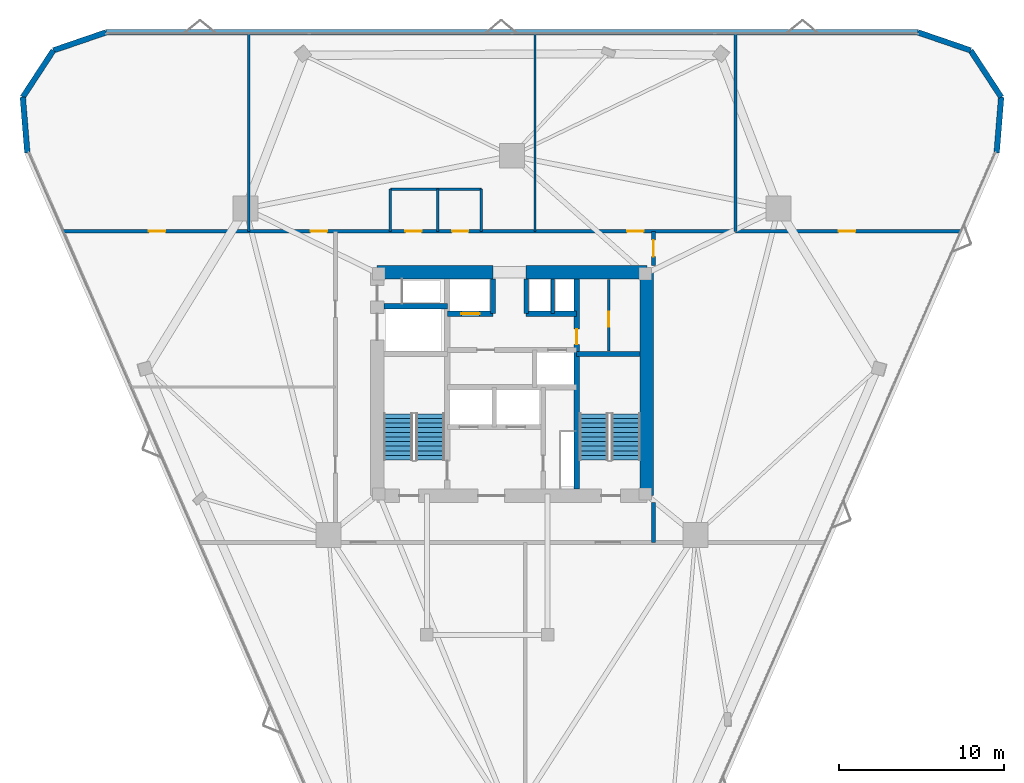
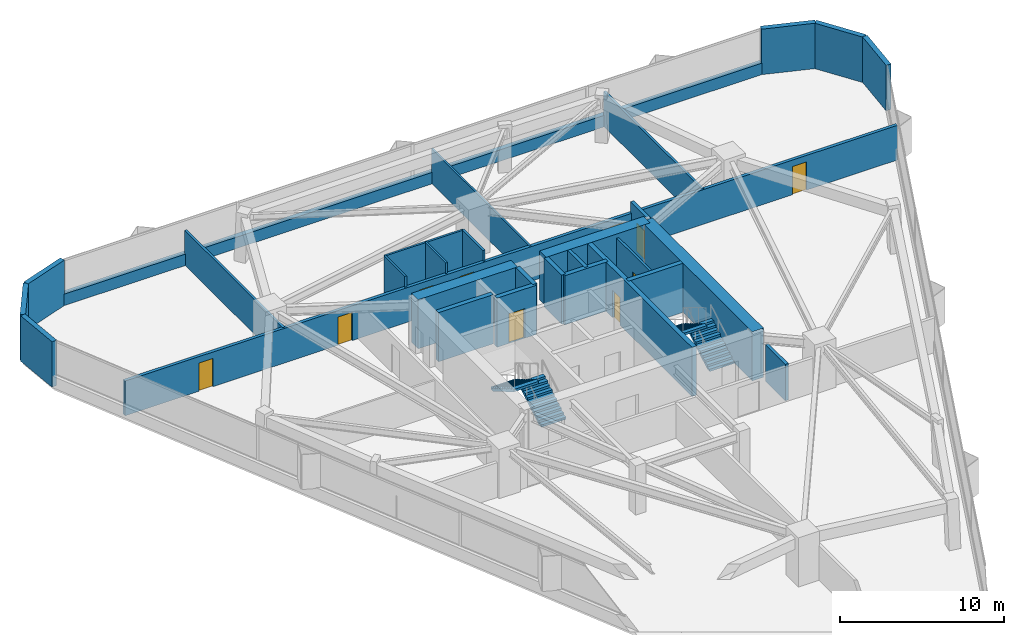
# One storey, part 13 of 14: 29 walls, 10 doors, 4 stair flights, 10 openings, 2 elements without a shape of their own.
"""IFC4 building model written with IfcOpenShell, lengths in metres."""

import ifcopenshell
import ifcopenshell.guid

model = None  # the IFC model being written
_history = None  # IfcOwnerHistory: only IFC2X3 demands one
_inside = {}  # id of a spatial element -> (the spatial element, [elements in it])
_under = {}  # id of a project, library or spatial element -> (it, [spatial elements below it])
_declared = {}  # id of a project -> (the project, [libraries it declares])
_typed = {}  # id of a type object -> (the type object, [elements of that type])
_made_of = {}  # id of a material, layer set ... -> (it, [elements and type objects made of it])


def new_model(schema):
    """Start an empty IFC model of exactly this schema.

    Asked for "IFC4X3", IfcOpenShell would pick the latest addendum, in which some entities
    have other attributes; the version numbers below select the first issue.
    IFC2X3 requires an IfcOwnerHistory on every rooted entity: one is made here for all.
    """
    global model, _history
    if schema == "IFC4X3":
        model = ifcopenshell.file(schema_version=(4, 3, 0, 0))
    else:
        model = ifcopenshell.file(schema=schema)
    _inside.clear()
    _under.clear()
    _declared.clear()
    _typed.clear()
    _made_of.clear()
    _history = None
    if model.schema == "IFC2X3":
        org = make("IfcOrganization", Name="unknown")
        user = make(
            "IfcPersonAndOrganization",
            ThePerson=make("IfcPerson", FamilyName="unknown"),
            TheOrganization=org,
        )
        app = make(
            "IfcApplication",
            ApplicationDeveloper=org,
            Version="unknown",
            ApplicationFullName="unknown",
            ApplicationIdentifier="unknown",
        )
        _history = make(
            "IfcOwnerHistory",
            OwningUser=user,
            OwningApplication=app,
            ChangeAction="ADDED",
            CreationDate=0,
        )
    return model


def make(cls, **values):
    """One entity of the class cls with the attributes given. An attribute that is None is left unset."""
    return model.create_entity(
        cls, **{name: value for name, value in values.items() if value is not None}
    )


def rooted(cls, **values):
    """An entity with a GlobalId (a new one), such as an element, a storey or a relation."""
    return make(cls, GlobalId=ifcopenshell.guid.new(), OwnerHistory=_history, **values)


def si_unit(unit_type, name, prefix=None):
    """IfcSIUnit, for example si_unit("LENGTHUNIT", "METRE", prefix="MILLI")."""
    return make("IfcSIUnit", UnitType=unit_type, Prefix=prefix, Name=name)


def assignment(units):
    """IfcUnitAssignment: the units of a project."""
    return None if units is None else make("IfcUnitAssignment", Units=units)


def point(xyz):
    """IfcCartesianPoint."""
    return None if xyz is None else make("IfcCartesianPoint", Coordinates=xyz)


def direction(xyz):
    """IfcDirection."""
    return None if xyz is None else make("IfcDirection", DirectionRatios=xyz)


def frame(location, z_axis=None, x_axis=None):
    """IfcAxis2Placement3D, a coordinate frame: its origin and axes. An axis left out is left unset."""
    return make(
        "IfcAxis2Placement3D",
        Location=point(location),
        Axis=direction(z_axis),
        RefDirection=direction(x_axis),
    )


def frame_2d(location, x_axis=None):
    """IfcAxis2Placement2D, a coordinate frame in the plane: its origin and x axis."""
    return make(
        "IfcAxis2Placement2D", Location=point(location), RefDirection=direction(x_axis)
    )


def origin():
    """The frame at (0, 0, 0) with its axes left unset."""
    return frame((0.0, 0.0, 0.0))


def place(relative_to, where):
    """IfcLocalPlacement: puts the frame where relative to a parent placement (None: the world)."""
    return make(
        "IfcLocalPlacement", PlacementRelTo=relative_to, RelativePlacement=where
    )


def context(
    kind, dimensions, precision=None, world=None, true_north=None, identifier=None
):
    """IfcGeometricRepresentationContext, for example the 3D "Model" context."""
    return make(
        "IfcGeometricRepresentationContext",
        ContextIdentifier=identifier,
        ContextType=kind,
        CoordinateSpaceDimension=dimensions,
        Precision=precision,
        WorldCoordinateSystem=world,
        TrueNorth=true_north,
    )


def subcontext(parent, identifier, kind, view, scale=None):
    """IfcGeometricRepresentationSubContext, for example "Body" below "Model"."""
    return make(
        "IfcGeometricRepresentationSubContext",
        ContextIdentifier=identifier,
        ContextType=kind,
        ParentContext=parent,
        TargetScale=scale,
        TargetView=view,
    )


def project(units=None, contexts=None):
    """IfcProject with its units and contexts."""
    return rooted(
        "IfcProject",
        Name="project",
        RepresentationContexts=contexts,
        UnitsInContext=assignment(units),
    )


def spatial(cls, under=None, at=None, **own):
    """A site, building, storey or space (cls), placed at a placement, below another one or the project."""
    s = rooted(cls, ObjectPlacement=at, **own)
    if under is not None:
        _under.setdefault(under.id(), (under, []))[1].append(s)
    return s


def polyline(points):
    """IfcPolyline through the points."""
    return make("IfcPolyline", Points=[point(p) for p in points])


def profile(cls, at=None, kind="AREA", **sizes):
    """A parametric profile (cls). Its sizes go by their IFC names, for example OverallWidth=200.0."""
    return make(cls, ProfileType=kind, Position=at, **sizes)


def rectangle(**sizes):
    """IfcRectangleProfileDef."""
    return profile("IfcRectangleProfileDef", **sizes)


def outline(outer, holes=None, kind="AREA"):
    """IfcArbitraryClosedProfileDef: a profile drawn as a closed curve; with holes, ...WithVoids."""
    if holes is None:
        return make("IfcArbitraryClosedProfileDef", ProfileType=kind, OuterCurve=outer)
    return make(
        "IfcArbitraryProfileDefWithVoids",
        ProfileType=kind,
        OuterCurve=outer,
        InnerCurves=holes,
    )


def extrude(swept, where, along, depth):
    """IfcExtrudedAreaSolid: the profile swept, set in the frame where, extruded along a direction by depth."""
    return make(
        "IfcExtrudedAreaSolid",
        SweptArea=swept,
        Position=where,
        ExtrudedDirection=direction(along),
        Depth=depth,
    )


def shape(context_of_items, identifier, shape_type, items):
    """IfcShapeRepresentation: the items that make up one representation, for example the "Body"."""
    return make(
        "IfcShapeRepresentation",
        ContextOfItems=context_of_items,
        RepresentationIdentifier=identifier,
        RepresentationType=shape_type,
        Items=items,
    )


def material(Name=None, Category=None):
    """IfcMaterial."""
    return make("IfcMaterial", Name=Name, Category=Category)


def layer(
    of_material, thickness, ventilated=None, Name=None, Category=None, Priority=None
):
    """IfcMaterialLayer: one layer of a wall or slab, of a material (None: an air gap)."""
    return make(
        "IfcMaterialLayer",
        Material=of_material,
        LayerThickness=thickness,
        IsVentilated=ventilated,
        Name=Name,
        Category=Category,
        Priority=Priority,
    )


def layer_set(layers, Name=None):
    """IfcMaterialLayerSet."""
    return make("IfcMaterialLayerSet", MaterialLayers=layers, LayerSetName=Name)


def made_of(thing, what):
    """Note that an element or type object is made of a material, layer set ...; save() writes the relation."""
    if what is not None:
        _made_of.setdefault(what.id(), (what, []))[1].append(thing)
    return thing


def type_object(cls, material=None, **own):
    """A type object (cls), such as IfcWallType, which elements share."""
    return made_of(rooted(cls, **own), material)


def element(
    cls,
    number,
    at=None,
    inside=None,
    cuts=None,
    type_object=None,
    material=None,
    context=None,
    identifier="Body",
    shape_type=None,
    held_by="IfcProductDefinitionShape",
    body=None,
    shapes=None,
    **own,
):
    """One element of the class cls, such as IfcWall. Its Tag is "e" and its number.

    at: its placement. inside: the storey or other place that contains it. cuts: it is an
    opening in that element (IfcRelVoidsElement). A single representation is given by context,
    identifier, shape_type and body (its items); several are given by shapes. held_by: the class
    of the entity that holds the representations. save() writes the other relations.
    """
    e = rooted(cls, Tag="e%d" % number, ObjectPlacement=at, **own)
    if body is not None:
        shapes = [shape(context, identifier, shape_type, body)]
    if shapes is not None:
        e.Representation = make(held_by, Representations=shapes)
    if inside is not None:
        _inside.setdefault(inside.id(), (inside, []))[1].append(e)
    if cuts is not None:
        rooted(
            "IfcRelVoidsElement", RelatingBuildingElement=cuts, RelatedOpeningElement=e
        )
    if type_object is not None:
        _typed.setdefault(type_object.id(), (type_object, []))[1].append(e)
    return made_of(e, material)


def fill(opening, filler):
    """IfcRelFillsElement: the door or window that sits in an opening."""
    return rooted(
        "IfcRelFillsElement",
        RelatingOpeningElement=opening,
        RelatedBuildingElement=filler,
    )


def aggregate(whole, parts):
    """IfcRelAggregates: a whole, such as a stair, and the parts it consists of."""
    return rooted("IfcRelAggregates", RelatingObject=whole, RelatedObjects=parts)


def save(model, path):
    """Write the relations noted so far, then the file.

    IfcRelAggregates (storeys below a building ...), IfcRelContainedInSpatialStructure (elements
    in a storey), IfcRelDefinesByType, IfcRelAssociatesMaterial and IfcRelDeclares: one each for
    every whole, place, type object, material and project.
    """
    for whole, parts in _under.values():
        aggregate(whole, parts)
    for where, things in _inside.values():
        rooted(
            "IfcRelContainedInSpatialStructure",
            RelatedElements=things,
            RelatingStructure=where,
        )
    for kind, things in _typed.values():
        rooted("IfcRelDefinesByType", RelatedObjects=things, RelatingType=kind)
    for what, things in _made_of.values():
        rooted("IfcRelAssociatesMaterial", RelatedObjects=things, RelatingMaterial=what)
    for by, libraries in _declared.values():
        rooted("IfcRelDeclares", RelatingContext=by, RelatedDefinitions=libraries)
    model.write(path)


model = new_model("IFC4")

# Units and contexts
model_context = context("Model", 3, precision=1e-05, world=origin(), true_north=direction((0.0, 1.0)))
body_context = subcontext(model_context, "Body", "Model", "MODEL_VIEW")
ifc_project = project(units=[si_unit("LENGTHUNIT", "METRE"), si_unit("AREAUNIT", "SQUARE_METRE"), si_unit("VOLUMEUNIT", "CUBIC_METRE"), si_unit("PLANEANGLEUNIT", "RADIAN"), si_unit("MASSUNIT", "GRAM", prefix="KILO")], contexts=[model_context])

# Site, building, storey
site_placement = place(None, origin())
site = spatial("IfcSite", under=ifc_project, at=site_placement, CompositionType="ELEMENT")
building_placement = place(site_placement, origin())
building = spatial("IfcBuilding", under=site, at=building_placement, Name="Talyreon Biosciences Tower", CompositionType="ELEMENT")
storey_placement = place(building_placement, frame((0.0, 0.0, 130.85009765625)))
storey = spatial("IfcBuildingStorey", under=building, at=storey_placement, Name="L34", CompositionType="ELEMENT", Elevation=130.85009765625)

# Walls
ifc_material_1 = material(Name="Concrete C50/60", Category="concrete")
ifc_layer_1 = layer(ifc_material_1, 0.219970703125)
ifc_layer_set_1 = layer_set([ifc_layer_1], Name="Concrete C50/60")
wall_type_1 = type_object("IfcWallType", Name="CoreShearWall_220", PredefinedType="SHEAR", material=ifc_layer_set_1)
wall_1_placement = place(storey_placement, frame((68.4599609375, 72.25, 0.0), z_axis=(0.0, 0.0, 1.0), x_axis=(0.0, 1.0, 0.0)))
element("IfcWall", 1, at=wall_1_placement, inside=storey, type_object=wall_type_1, Name="L34 Core Shaft Wall SWPHD", PredefinedType="SHEAR", context=body_context, shape_type="SweptSolid", body=[
    extrude(rectangle(XDim=2.10009765625, YDim=0.219970703125, at=frame_2d((1.050048828125, 0.0))), origin(), (0.0, 0.0, 1.0), 3.64990234375),
])
ifc_layer_2 = layer(ifc_material_1, 0.280029296875)
ifc_layer_set_2 = layer_set([ifc_layer_2], Name="Concrete C50/60")
wall_type_2 = type_object("IfcWallType", Name="CoreShearWall_280", PredefinedType="SHEAR", material=ifc_layer_set_2)
for number, where, z_axis, x_axis, name in (
    (2, (64.85009765625, 72.25, 0.0), (0.0, 0.0, 1.0), (0.0, 1.0, 0.0), "L34 Core Shaft Wall SWTHW"),
    (3, (66.85009765625, 72.25, 0.0), (0.0, 0.0, 1.0), (0.0, 1.0, 0.0), "L34 Core Shaft Wall SWTHE"),
):
    element("IfcWall", number, at=place(storey_placement, frame(where, z_axis=z_axis, x_axis=x_axis)), inside=storey, type_object=wall_type_2, Name=name, PredefinedType="SHEAR", context=body_context, shape_type="SweptSolid", body=[
        extrude(rectangle(XDim=2.10009765625, YDim=0.280029296875, at=frame_2d((1.050048828125, 0.0))), origin(), (0.0, 0.0, 1.0), 3.64990234375),
    ])

# Wall, opening, door
ifc_layer_3 = layer(ifc_material_1, 0.320068359375)
ifc_layer_set_3 = layer_set([ifc_layer_3], Name="Concrete C50/60")
wall_type_3 = type_object("IfcWallType", Name="CoreShearWall_320", PredefinedType="SHEAR", material=ifc_layer_set_3)
wall_2_placement = place(storey_placement, frame((69.909912109375, 61.64990234375, 0.0), z_axis=(0.0, 0.0, 1.0), x_axis=(0.0, 1.0, 0.0)))
wall_2 = element("IfcWall", 4, at=wall_2_placement, inside=storey, type_object=wall_type_3, Name="L34 Core Shaft Wall SW2W", PredefinedType="SHEAR", context=body_context, shape_type="SweptSolid", body=[
    extrude(rectangle(XDim=12.7001953125, YDim=0.320068359375, at=frame_2d((6.35009765625, 0.0))), origin(), (0.0, 0.0, 1.0), 3.64990234375),
])
opening_1_placement = place(wall_2_placement, frame((8.75, 0.0, 0.0)))
opening_1 = element("IfcOpeningElement", 5, at=opening_1_placement, cuts=wall_2, Name="Opening DR-L34-CSRV", PredefinedType="OPENING", context=body_context, shape_type="SweptSolid", body=[
    extrude(rectangle(XDim=0.919921875, YDim=2.050048828125, at=frame_2d((0.4599609375, 1.02490234375))), frame((0.0, 0.169921875, 0.0), z_axis=(0.0, -1.0, 0.0), x_axis=(1.0, 0.0, 0.0)), (0.0, 0.0, 1.0), 0.340087890625),
])
ifc_material_2 = material(Name="Painted steel fire-rated riser door", Category="steel")
door_type_1 = type_object("IfcDoorType", Name="RiserPlantAccessDoor_920x2050", OperationType="NOTDEFINED", PredefinedType="DOOR", material=ifc_material_2)
door_1_placement = place(opening_1_placement, origin())
door_1 = element("IfcDoor", 6, at=door_1_placement, inside=storey, type_object=door_type_1, Name="L34 Core Door DR-L34-CSRV", OperationType="SINGLE_SWING_RIGHT", OverallHeight=2.050048828125, OverallWidth=0.919921875, PredefinedType="DOOR", context=body_context, shape_type="SweptSolid", body=[
    extrude(rectangle(XDim=0.919921875, YDim=2.050048828125, at=frame_2d((0.4599609375, 1.02490234375))), frame((0.0, 0.02490234375, 0.0), z_axis=(0.0, -1.0, 0.0), x_axis=(1.0, 0.0, 0.0)), (0.0, 0.0, 1.0), 0.050048828125),
])
fill(opening_1, door_1)

# Walls
for number, where, z_axis, x_axis, name in (
    (7, (69.909912109375, 69.81005859375, 0.0), (0.0, 0.0, 1.0), (1.0, 0.0, 0.0), "L34 Core Shaft Wall SW2N"),
    (8, (58.25, 72.699951171875, 0.0), (0.0, 0.0, 1.0), (1.0, 0.0, 0.0), "L34 Core Shaft Wall SWGLN"),
):
    element("IfcWall", number, at=place(storey_placement, frame(where, z_axis=z_axis, x_axis=x_axis)), inside=storey, type_object=wall_type_3, Name=name, PredefinedType="SHEAR", context=body_context, shape_type="SweptSolid", body=[
        extrude(rectangle(XDim=3.840087890625, YDim=0.320068359375, at=frame_2d((1.919921875, 0.0))), origin(), (0.0, 0.0, 1.0), 3.64990234375),
    ])

# Wall, opening, door
wall_3_placement = place(storey_placement, frame((62.090087890625, 72.25, 0.0), z_axis=(0.0, 0.0, 1.0), x_axis=(1.0, 0.0, 0.0)))
wall_3 = element("IfcWall", 9, at=wall_3_placement, inside=storey, type_object=wall_type_3, Name="L34 Core Shaft Wall SWNPW", PredefinedType="SHEAR", context=body_context, shape_type="SweptSolid", body=[
    extrude(rectangle(XDim=2.760009765625, YDim=0.320068359375, at=frame_2d((1.3798828125, 0.0))), origin(), (0.0, 0.0, 1.0), 3.64990234375),
])
opening_2_placement = place(wall_3_placement, frame((0.85009765625, 0.0, 0.0)))
opening_2 = element("IfcOpeningElement", 10, at=opening_2_placement, cuts=wall_3, Name="Opening LD-L34-PM2", PredefinedType="OPENING", context=body_context, shape_type="SweptSolid", body=[
    extrude(rectangle(XDim=1.10009765625, YDim=2.199951171875, at=frame_2d((0.550048828125, 1.10009765625))), frame((0.0, 0.169921875, 0.0), z_axis=(0.0, -1.0, 0.0), x_axis=(1.0, 0.0, 0.0)), (0.0, 0.0, 1.0), 0.340087890625),
])
ifc_material_3 = material(Name="Brushed stainless-steel lift landing door", Category="steel")
door_type_2 = type_object("IfcDoorType", Name="LiftSlidingLandingDoor_1100x2200", OperationType="SLIDING_TO_LEFT", PredefinedType="DOOR", material=ifc_material_3)
door_2_placement = place(opening_2_placement, origin())
door_2 = element("IfcDoor", 11, at=door_2_placement, inside=storey, type_object=door_type_2, Name="L34 Core Door LD-L34-PM2", OperationType="SLIDING_TO_LEFT", OverallHeight=2.199951171875, OverallWidth=1.10009765625, PredefinedType="DOOR", context=body_context, shape_type="SweptSolid", body=[
    extrude(rectangle(XDim=1.10009765625, YDim=2.199951171875, at=frame_2d((0.550048828125, 1.10009765625))), frame((0.0, 0.02490234375, 0.0), z_axis=(0.0, -1.0, 0.0), x_axis=(1.0, 0.0, 0.0)), (0.0, 0.0, 1.0), 0.050048828125),
])
fill(opening_2, door_2)

# Walls
wall_4_placement = place(storey_placement, frame((66.85009765625, 72.25, 0.0), z_axis=(0.0, 0.0, 1.0), x_axis=(1.0, 0.0, 0.0)))
element("IfcWall", 12, at=wall_4_placement, inside=storey, type_object=wall_type_3, Name="L34 Core Shaft Wall SWNPE", PredefinedType="SHEAR", context=body_context, shape_type="SweptSolid", body=[
    extrude(rectangle(XDim=3.059814453125, YDim=0.320068359375, at=frame_2d((1.52978515625, 0.0))), origin(), (0.0, 0.0, 1.0), 3.64990234375),
])
ifc_material_4 = material(Name="Concrete C60/75", Category="concrete")
ifc_layer_4 = layer(ifc_material_4, 0.800048828125)
ifc_layer_set_4 = layer_set([ifc_layer_4], Name="Concrete C60/75")
wall_type_4 = type_object("IfcWallType", Name="CoreShearWall_800", PredefinedType="SHEAR", material=ifc_layer_set_4)
wall_5_placement = place(storey_placement, frame((74.14990234375, 61.25, 0.0), z_axis=(0.0, 0.0, 1.0), x_axis=(0.0, 1.0, 0.0)))
element("IfcWall", 13, at=wall_5_placement, inside=storey, type_object=wall_type_4, Name="L34 Core Shear Wall E", PredefinedType="SHEAR", context=body_context, shape_type="SweptSolid", body=[
    extrude(rectangle(XDim=13.5, YDim=0.800048828125, at=frame_2d((6.75, 0.0))), origin(), (0.0, 0.0, 1.0), 3.64990234375),
])
wall_6_placement = place(storey_placement, frame((74.14990234375, 74.75, 0.0), z_axis=(0.0, 0.0, 1.0), x_axis=(-1.0, 0.0, 0.0)))
element("IfcWall", 14, at=wall_6_placement, inside=storey, type_object=wall_type_4, Name="L34 Core Shear Wall NE", PredefinedType="SHEAR", context=body_context, shape_type="SweptSolid", body=[
    extrude(rectangle(XDim=7.2998046875, YDim=0.800048828125, at=frame_2d((3.64990234375, 0.0))), origin(), (0.0, 0.0, 1.0), 3.64990234375),
])
wall_7_placement = place(storey_placement, frame((64.85009765625, 74.75, 0.0), z_axis=(0.0, 0.0, 1.0), x_axis=(-1.0, 0.0, 0.0)))
element("IfcWall", 15, at=wall_7_placement, inside=storey, type_object=wall_type_4, Name="L34 Core Shear Wall NW", PredefinedType="SHEAR", context=body_context, shape_type="SweptSolid", body=[
    extrude(rectangle(XDim=7.0, YDim=0.800048828125, at=frame_2d((3.5, 0.0))), origin(), (0.0, 0.0, 1.0), 3.64990234375),
])

# Wall, openings, doors
ifc_material_5 = material(Name="Gypsum fireboard acoustic stud", Category="gypsum")
ifc_layer_5 = layer(ifc_material_5, 0.219970703125)
ifc_layer_set_5 = layer_set([ifc_layer_5], Name="Gypsum fireboard acoustic stud")
wall_type_5 = type_object("IfcWallType", Name="CorridorRatedPartition_220", PredefinedType="PARTITIONING", material=ifc_layer_set_5)
wall_8_placement = place(storey_placement, frame((38.874267578125, 77.22998046875, 0.0), z_axis=(0.0, 0.0, 1.0), x_axis=(1.0, 0.0, 0.0)))
wall_8 = element("IfcWall", 16, at=wall_8_placement, inside=storey, type_object=wall_type_5, Name="L34 Interior Wall IW-L34-COR-N", PredefinedType="PARTITIONING", context=body_context, shape_type="SweptSolid", body=[
    extrude(rectangle(XDim=54.25146484375, YDim=0.219970703125, at=frame_2d((27.125732421875, 0.0))), origin(), (0.0, 0.0, 1.0), 2.574951171875),
])
opening_3_placement = place(wall_8_placement, frame((20.68603515625, 0.0, 0.0)))
opening_3 = element("IfcOpeningElement", 17, at=opening_3_placement, cuts=wall_8, Name="Opening DR-L34-WC", PredefinedType="OPENING", context=body_context, shape_type="SweptSolid", body=[
    extrude(rectangle(XDim=0.97998046875, YDim=2.10009765625, at=frame_2d((0.489990234375, 1.050048828125))), frame((0.0, 0.119873046875, 0.0), z_axis=(0.0, -1.0, 0.0), x_axis=(1.0, 0.0, 0.0)), (0.0, 0.0, 1.0), 0.239990234375),
])
opening_4_placement = place(wall_8_placement, frame((23.510986328125, 0.0, 0.0)))
opening_4 = element("IfcOpeningElement", 18, at=opening_4_placement, cuts=wall_8, Name="Opening DR-L34-AWC", PredefinedType="OPENING", context=body_context, shape_type="SweptSolid", body=[
    extrude(rectangle(XDim=0.97998046875, YDim=2.10009765625, at=frame_2d((0.489990234375, 1.050048828125))), frame((0.0, 0.119873046875, 0.0), z_axis=(0.0, -1.0, 0.0), x_axis=(1.0, 0.0, 0.0)), (0.0, 0.0, 1.0), 0.239990234375),
])
opening_5_placement = place(wall_8_placement, frame((5.18310546875, 0.0, 0.0)))
opening_5 = element("IfcOpeningElement", 19, at=opening_5_placement, cuts=wall_8, Name="Opening DR-L34-N1A", PredefinedType="OPENING", context=body_context, shape_type="SweptSolid", body=[
    extrude(rectangle(XDim=1.0, YDim=2.10009765625, at=frame_2d((0.5, 1.050048828125))), frame((0.0, 0.119873046875, 0.0), z_axis=(0.0, -1.0, 0.0), x_axis=(1.0, 0.0, 0.0)), (0.0, 0.0, 1.0), 0.239990234375),
])
opening_6_placement = place(wall_8_placement, frame((14.9560546875, 0.0, 0.0)))
opening_6 = element("IfcOpeningElement", 20, at=opening_6_placement, cuts=wall_8, Name="Opening DR-L34-N2A", PredefinedType="OPENING", context=body_context, shape_type="SweptSolid", body=[
    extrude(rectangle(XDim=1.0, YDim=2.10009765625, at=frame_2d((0.5, 1.050048828125))), frame((0.0, 0.119873046875, 0.0), z_axis=(0.0, -1.0, 0.0), x_axis=(1.0, 0.0, 0.0)), (0.0, 0.0, 1.0), 0.239990234375),
])
opening_7_placement = place(wall_8_placement, frame((34.0810546875, 0.0, 0.0)))
opening_7 = element("IfcOpeningElement", 21, at=opening_7_placement, cuts=wall_8, Name="Opening DR-L34-N3A", PredefinedType="OPENING", context=body_context, shape_type="SweptSolid", body=[
    extrude(rectangle(XDim=1.0, YDim=2.10009765625, at=frame_2d((0.5, 1.050048828125))), frame((0.0, 0.119873046875, 0.0), z_axis=(0.0, -1.0, 0.0), x_axis=(1.0, 0.0, 0.0)), (0.0, 0.0, 1.0), 0.239990234375),
])
opening_8_placement = place(wall_8_placement, frame((46.868896484375, 0.0, 0.0)))
opening_8 = element("IfcOpeningElement", 22, at=opening_8_placement, cuts=wall_8, Name="Opening DR-L34-N4A", PredefinedType="OPENING", context=body_context, shape_type="SweptSolid", body=[
    extrude(rectangle(XDim=1.0, YDim=2.10009765625, at=frame_2d((0.5, 1.050048828125))), frame((0.0, 0.119873046875, 0.0), z_axis=(0.0, -1.0, 0.0), x_axis=(1.0, 0.0, 0.0)), (0.0, 0.0, 1.0), 0.239990234375),
])
ifc_material_6 = material(Name="Laminate moisture-resistant door", Category="wood")
door_type_3 = type_object("IfcDoorType", Name="AccessibleToiletDoor_980x2100", OperationType="NOTDEFINED", PredefinedType="DOOR", material=ifc_material_6)
door_3_placement = place(opening_3_placement, origin())
door_3 = element("IfcDoor", 23, at=door_3_placement, inside=storey, type_object=door_type_3, Name="L34 Interior Door DR-L34-WC", OperationType="SINGLE_SWING_LEFT", OverallHeight=2.10009765625, OverallWidth=0.97998046875, PredefinedType="DOOR", context=body_context, shape_type="SweptSolid", body=[
    extrude(rectangle(XDim=0.97998046875, YDim=2.10009765625, at=frame_2d((0.489990234375, 1.050048828125))), frame((0.0, 0.02490234375, 0.0), z_axis=(0.0, -1.0, 0.0), x_axis=(1.0, 0.0, 0.0)), (0.0, 0.0, 1.0), 0.050048828125),
])
fill(opening_3, door_3)
door_4_placement = place(opening_4_placement, origin())
door_4 = element("IfcDoor", 24, at=door_4_placement, inside=storey, type_object=door_type_3, Name="L34 Interior Door DR-L34-AWC", OperationType="SINGLE_SWING_RIGHT", OverallHeight=2.10009765625, OverallWidth=0.97998046875, PredefinedType="DOOR", context=body_context, shape_type="SweptSolid", body=[
    extrude(rectangle(XDim=0.97998046875, YDim=2.10009765625, at=frame_2d((0.489990234375, 1.050048828125))), frame((0.0, 0.02490234375, 0.0), z_axis=(0.0, -1.0, 0.0), x_axis=(1.0, 0.0, 0.0)), (0.0, 0.0, 1.0), 0.050048828125),
])
fill(opening_4, door_4)
ifc_material_7 = material(Name="Acoustic oak veneer office door", Category="wood")
door_type_4 = type_object("IfcDoorType", Name="WriteupOfficeDoor_1000x2100", OperationType="NOTDEFINED", PredefinedType="DOOR", material=ifc_material_7)
door_5_placement = place(opening_5_placement, origin())
door_5 = element("IfcDoor", 25, at=door_5_placement, inside=storey, type_object=door_type_4, Name="L34 Interior Door DR-L34-N1A", OperationType="SINGLE_SWING_RIGHT", OverallHeight=2.10009765625, OverallWidth=1.0, PredefinedType="DOOR", context=body_context, shape_type="SweptSolid", body=[
    extrude(rectangle(XDim=1.0, YDim=2.10009765625, at=frame_2d((0.5, 1.050048828125))), frame((0.0, 0.02490234375, 0.0), z_axis=(0.0, -1.0, 0.0), x_axis=(1.0, 0.0, 0.0)), (0.0, 0.0, 1.0), 0.050048828125),
])
fill(opening_5, door_5)
door_6_placement = place(opening_6_placement, origin())
door_6 = element("IfcDoor", 26, at=door_6_placement, inside=storey, type_object=door_type_4, Name="L34 Interior Door DR-L34-N2A", OperationType="SINGLE_SWING_RIGHT", OverallHeight=2.10009765625, OverallWidth=1.0, PredefinedType="DOOR", context=body_context, shape_type="SweptSolid", body=[
    extrude(rectangle(XDim=1.0, YDim=2.10009765625, at=frame_2d((0.5, 1.050048828125))), frame((0.0, 0.02490234375, 0.0), z_axis=(0.0, -1.0, 0.0), x_axis=(1.0, 0.0, 0.0)), (0.0, 0.0, 1.0), 0.050048828125),
])
fill(opening_6, door_6)
door_7_placement = place(opening_7_placement, origin())
door_7 = element("IfcDoor", 27, at=door_7_placement, inside=storey, type_object=door_type_4, Name="L34 Interior Door DR-L34-N3A", OperationType="SINGLE_SWING_RIGHT", OverallHeight=2.10009765625, OverallWidth=1.0, PredefinedType="DOOR", context=body_context, shape_type="SweptSolid", body=[
    extrude(rectangle(XDim=1.0, YDim=2.10009765625, at=frame_2d((0.5, 1.050048828125))), frame((0.0, 0.02490234375, 0.0), z_axis=(0.0, -1.0, 0.0), x_axis=(1.0, 0.0, 0.0)), (0.0, 0.0, 1.0), 0.050048828125),
])
fill(opening_7, door_7)
door_8_placement = place(opening_8_placement, origin())
door_8 = element("IfcDoor", 28, at=door_8_placement, inside=storey, type_object=door_type_4, Name="L34 Interior Door DR-L34-N4A", OperationType="SINGLE_SWING_RIGHT", OverallHeight=2.10009765625, OverallWidth=1.0, PredefinedType="DOOR", context=body_context, shape_type="SweptSolid", body=[
    extrude(rectangle(XDim=1.0, YDim=2.10009765625, at=frame_2d((0.5, 1.050048828125))), frame((0.0, 0.02490234375, 0.0), z_axis=(0.0, -1.0, 0.0), x_axis=(1.0, 0.0, 0.0)), (0.0, 0.0, 1.0), 0.050048828125),
])
fill(opening_8, door_8)

# Wall, opening, door
wall_9_placement = place(storey_placement, frame((74.550048828125, 75.14990234375, 0.0), z_axis=(0.0, 0.0, 1.0), x_axis=(0.0, 1.0, 0.0)))
wall_9 = element("IfcWall", 29, at=wall_9_placement, inside=storey, type_object=wall_type_5, Name="L34 Interior Wall IW-L34-ECAP-N", PredefinedType="PARTITIONING", context=body_context, shape_type="SweptSolid", body=[
    extrude(rectangle(XDim=2.080078125, YDim=0.219970703125, at=frame_2d((1.0400390625, 0.0))), origin(), (0.0, 0.0, 1.0), 3.375),
])
opening_9_placement = place(wall_9_placement, frame((0.5400390625, 0.0, 0.0)))
opening_9 = element("IfcOpeningElement", 30, at=opening_9_placement, cuts=wall_9, Name="Opening DR-L34-E1A", PredefinedType="OPENING", context=body_context, shape_type="SweptSolid", body=[
    extrude(rectangle(XDim=1.0, YDim=2.10009765625, at=frame_2d((0.5, 1.050048828125))), frame((0.0, 0.119873046875, 0.0), z_axis=(0.0, -1.0, 0.0), x_axis=(1.0, 0.0, 0.0)), (0.0, 0.0, 1.0), 0.239990234375),
])
door_9_placement = place(opening_9_placement, origin())
door_9 = element("IfcDoor", 31, at=door_9_placement, inside=storey, type_object=door_type_4, Name="L34 Interior Door DR-L34-E1A", OperationType="SINGLE_SWING_LEFT", OverallHeight=2.10009765625, OverallWidth=1.0, PredefinedType="DOOR", context=body_context, shape_type="SweptSolid", body=[
    extrude(rectangle(XDim=1.0, YDim=2.10009765625, at=frame_2d((0.5, 1.050048828125))), frame((0.0, 0.02490234375, 0.0), z_axis=(0.0, -1.0, 0.0), x_axis=(1.0, 0.0, 0.0)), (0.0, 0.0, 1.0), 0.050048828125),
])
fill(opening_9, door_9)

# Wall
wall_10_placement = place(storey_placement, frame((74.550048828125, 58.419921875, 0.0), z_axis=(0.0, 0.0, 1.0), x_axis=(0.0, 1.0, 0.0)))
element("IfcWall", 32, at=wall_10_placement, inside=storey, type_object=wall_type_5, Name="L34 Interior Wall IW-L34-ECAP-S", PredefinedType="PARTITIONING", context=body_context, shape_type="SweptSolid", body=[
    extrude(rectangle(XDim=2.43017578125, YDim=0.219970703125, at=frame_2d((1.215087890625, 0.0))), origin(), (0.0, 0.0, 1.0), 2.704833984375),
])

# Wall, opening, door
ifc_material_8 = material(Name="Gypsum acoustic stud partition", Category="gypsum")
ifc_layer_6 = layer(ifc_material_8, 0.159912109375)
ifc_layer_set_6 = layer_set([ifc_layer_6], Name="Gypsum acoustic stud partition")
wall_type_6 = type_object("IfcWallType", Name="LabSeparationPartition_160", PredefinedType="PARTITIONING", material=ifc_layer_set_6)
wall_11_placement = place(storey_placement, frame((71.85009765625, 70.0, 0.0), z_axis=(0.0, 0.0, 1.0), x_axis=(0.0, 1.0, 0.0)))
wall_11 = element("IfcWall", 33, at=wall_11_placement, inside=storey, type_object=wall_type_6, Name="L34 Interior Wall IW-L34-CSRV-V", PredefinedType="PARTITIONING", context=body_context, shape_type="SweptSolid", body=[
    extrude(rectangle(XDim=4.300048828125, YDim=0.159912109375, at=frame_2d((2.14990234375, 0.0))), origin(), (0.0, 0.0, 1.0), 3.375),
])
opening_10_placement = place(wall_11_placement, frame((1.449951171875, 0.0, 0.0)))
opening_10 = element("IfcOpeningElement", 34, at=opening_10_placement, cuts=wall_11, Name="Opening DR-L34-CSRV-I", PredefinedType="OPENING", context=body_context, shape_type="SweptSolid", body=[
    extrude(rectangle(XDim=0.919921875, YDim=2.050048828125, at=frame_2d((0.4599609375, 1.02490234375))), frame((0.0, 0.08984375, 0.0), z_axis=(0.0, -1.0, 0.0), x_axis=(1.0, 0.0, 0.0)), (0.0, 0.0, 1.0), 0.179931640625),
])
door_10_placement = place(opening_10_placement, origin())
door_10 = element("IfcDoor", 35, at=door_10_placement, inside=storey, type_object=door_type_1, Name="L34 Interior Door DR-L34-CSRV-I", OperationType="SINGLE_SWING_RIGHT", OverallHeight=2.050048828125, OverallWidth=0.919921875, PredefinedType="DOOR", context=body_context, shape_type="SweptSolid", body=[
    extrude(rectangle(XDim=0.919921875, YDim=2.050048828125, at=frame_2d((0.4599609375, 1.02490234375))), frame((0.0, 0.02490234375, 0.0), z_axis=(0.0, -1.0, 0.0), x_axis=(1.0, 0.0, 0.0)), (0.0, 0.0, 1.0), 0.050048828125),
])
fill(opening_10, door_10)

# Walls
for number, where, z_axis, x_axis, name in (
    (36, (50.090087890625, 77.22998046875, 0.0), (0.0, 0.0, 1.0), (0.0, 1.0, 0.0), "L34 Interior Wall IW-L34-NDIV1"),
    (37, (79.510009765625, 77.22998046875, 0.0), (0.0, 0.0, 1.0), (0.0, 1.0, 0.0), "L34 Interior Wall IW-L34-NDIV3"),
):
    element("IfcWall", number, at=place(storey_placement, frame(where, z_axis=z_axis, x_axis=x_axis)), inside=storey, type_object=wall_type_6, Name=name, PredefinedType="PARTITIONING", context=body_context, shape_type="SweptSolid", body=[
        extrude(rectangle(XDim=11.93798828125, YDim=0.159912109375, at=frame_2d((5.968994140625, 0.0))), origin(), (0.0, 0.0, 1.0), 2.574951171875),
    ])
ifc_layer_7 = layer(ifc_material_8, 0.1298828125)
ifc_layer_set_7 = layer_set([ifc_layer_7], Name="Gypsum acoustic stud partition")
wall_type_7 = type_object("IfcWallType", Name="OfficeWriteupPartition_130", PredefinedType="PARTITIONING", material=ifc_layer_set_7)
wall_12_placement = place(storey_placement, frame((67.39990234375, 77.22998046875, 0.0), z_axis=(0.0, 0.0, 1.0), x_axis=(0.0, 1.0, 0.0)))
element("IfcWall", 38, at=wall_12_placement, inside=storey, type_object=wall_type_7, Name="L34 Interior Wall IW-L34-NDIV2", PredefinedType="PARTITIONING", context=body_context, shape_type="SweptSolid", body=[
    extrude(rectangle(XDim=11.93798828125, YDim=0.1298828125, at=frame_2d((5.968994140625, 0.0))), origin(), (0.0, 0.0, 1.0), 2.574951171875),
])
ifc_material_9 = material(Name="Precast concrete C45/55", Category="concrete")
ifc_layer_8 = layer(ifc_material_9, 0.340087890625)
ifc_layer_set_8 = layer_set([ifc_layer_8], Name="Precast concrete C45/55")
wall_type_8 = type_object("IfcWallType", Name="PrecastConcreteSpandrelWall_340", PredefinedType="STANDARD", material=ifc_layer_set_8)
wall_13_placement = place(storey_placement, frame((36.711181640625, 81.97265625, 0.0), z_axis=(0.0, 0.0, 1.0), x_axis=(-0.081111170457, 0.996705060701, 0.0)))
element("IfcWall", 39, at=wall_13_placement, inside=storey, type_object=wall_type_8, Name="L34 Rounded-Corner Concrete Pier 01", PredefinedType="STANDARD", context=body_context, shape_type="SweptSolid", body=[
    extrude(rectangle(XDim=3.374267578125, YDim=0.340087890625, at=frame_2d((1.68701171875, 0.0))), origin(), (0.0, 0.0, 1.0), 3.375),
])
for number, where, z_axis, x_axis, name in (
    (40, (36.4375, 85.335693359375, 0.0), (0.0, 0.0, 1.0), (0.547717201276, 0.836663532984, 0.0), "L34 Rounded-Corner Concrete Pier 02"),
    (41, (38.285400390625, 88.158447265625, 0.0), (0.0, 0.0, 1.0), (0.945919936879, 0.324400174191, 0.0), "L34 Rounded-Corner Concrete Pier 03"),
):
    element("IfcWall", number, at=place(storey_placement, frame(where, z_axis=z_axis, x_axis=x_axis)), inside=storey, type_object=wall_type_8, Name=name, PredefinedType="STANDARD", context=body_context, shape_type="SweptSolid", body=[
        extrude(rectangle(XDim=3.373779296875, YDim=0.340087890625, at=frame_2d((1.68701171875, 0.0))), origin(), (0.0, 0.0, 1.0), 3.375),
    ])
wall_14_placement = place(storey_placement, frame((41.476806640625, 89.2529296875, 0.0), z_axis=(0.0, 0.0, 1.0), x_axis=(1.0, 0.0, 0.0)))
element("IfcWall", 42, at=wall_14_placement, inside=storey, type_object=wall_type_8, Name="L34 Expressed Concrete Sill Wall 04", PredefinedType="STANDARD", context=body_context, shape_type="SweptSolid", body=[
    extrude(rectangle(XDim=49.04638671875, YDim=0.340087890625, at=frame_2d((24.523193359375, 0.0))), origin(), (0.0, 0.0, 1.0), 0.849853515625),
])
for number, where, z_axis, x_axis, name in (
    (43, (90.523193359375, 89.2529296875, 0.0), (0.0, 0.0, 1.0), (0.945919936879, -0.324400174191, 0.0), "L34 Rounded-Corner Concrete Pier 05"),
    (44, (93.714599609375, 88.158447265625, 0.0), (0.0, 0.0, 1.0), (0.547717201276, -0.836663532984, 0.0), "L34 Rounded-Corner Concrete Pier 06"),
):
    element("IfcWall", number, at=place(storey_placement, frame(where, z_axis=z_axis, x_axis=x_axis)), inside=storey, type_object=wall_type_8, Name=name, PredefinedType="STANDARD", context=body_context, shape_type="SweptSolid", body=[
        extrude(rectangle(XDim=3.373779296875, YDim=0.340087890625, at=frame_2d((1.68701171875, 0.0))), origin(), (0.0, 0.0, 1.0), 3.375),
    ])
wall_15_placement = place(storey_placement, frame((95.5625, 85.335693359375, 0.0), z_axis=(0.0, 0.0, 1.0), x_axis=(-0.081111170457, -0.996705060701, 0.0)))
element("IfcWall", 45, at=wall_15_placement, inside=storey, type_object=wall_type_8, Name="L34 Rounded-Corner Concrete Pier 07", PredefinedType="STANDARD", context=body_context, shape_type="SweptSolid", body=[
    extrude(rectangle(XDim=3.374267578125, YDim=0.340087890625, at=frame_2d((1.68701171875, 0.0))), origin(), (0.0, 0.0, 1.0), 3.375),
])
ifc_material_10 = material(Name="Moisture-resistant cement-board stud", Category="gypsum")
ifc_layer_9 = layer(ifc_material_10, 0.14501953125)
ifc_layer_set_9 = layer_set([ifc_layer_9], Name="Moisture-resistant cement-board stud")
wall_type_9 = type_object("IfcWallType", Name="WetRoomPartition_145", PredefinedType="PARTITIONING", material=ifc_layer_set_9)
for number, where, z_axis, x_axis, name in (
    (46, (58.64990234375, 77.22998046875, 0.0), (0.0, 0.0, 1.0), (0.0, 1.0, 0.0), "L34 Interior Wall IW-L34-WCL"),
    (47, (61.52490234375, 77.22998046875, 0.0), (0.0, 0.0, 1.0), (0.0, 1.0, 0.0), "L34 Interior Wall IW-L34-WCM"),
    (48, (64.14990234375, 77.22998046875, 0.0), (0.0, 0.0, 1.0), (0.0, 1.0, 0.0), "L34 Interior Wall IW-L34-WCR"),
):
    element("IfcWall", number, at=place(storey_placement, frame(where, z_axis=z_axis, x_axis=x_axis)), inside=storey, type_object=wall_type_9, Name=name, PredefinedType="PARTITIONING", context=body_context, shape_type="SweptSolid", body=[
        extrude(rectangle(XDim=2.550048828125, YDim=0.14501953125, at=frame_2d((1.27490234375, 0.0))), origin(), (0.0, 0.0, 1.0), 3.375),
    ])
wall_16_placement = place(storey_placement, frame((58.64990234375, 79.780029296875, 0.0), z_axis=(0.0, 0.0, 1.0), x_axis=(1.0, 0.0, 0.0)))
element("IfcWall", 49, at=wall_16_placement, inside=storey, type_object=wall_type_9, Name="L34 Interior Wall IW-L34-WCT", PredefinedType="PARTITIONING", context=body_context, shape_type="SweptSolid", body=[
    extrude(rectangle(XDim=5.5, YDim=0.14501953125, at=frame_2d((2.75, 0.0))), origin(), (0.0, 0.0, 1.0), 3.375),
])

# Stair, stair flights
ifc_material_11 = material(Name="Concrete C40/50", Category="concrete")
stair_type = type_object("IfcStairType", Name="DoglegEscapeStair_3650", PredefinedType="HALF_TURN_STAIR", material=ifc_material_11)
stair_1_placement = place(storey_placement, origin())
stair_1 = element("IfcStair", 50, at=stair_1_placement, inside=storey, type_object=stair_type, Name="L34 Core Escape Stair 1", PredefinedType="HALF_TURN_STAIR")
stair_flight_type = type_object("IfcStairFlightType", Name="PrecastStairFlight_3650", PredefinedType="STRAIGHT", material=ifc_material_11)
stair_flight_1_placement = place(storey_placement, frame((61.06005859375, 63.39990234375, 0.0), z_axis=(0.0, 0.0, 1.0), x_axis=(0.0, 1.0, 0.0)))
stair_flight_1 = element("IfcStairFlight", 51, at=stair_flight_1_placement, type_object=stair_flight_type, Name="ST-1 flight 1", NumberOfRisers=11, NumberOfTreads=10, PredefinedType="STRAIGHT", RiserHeight=0.165909091, TreadLength=0.28, context=body_context, shape_type="SweptSolid", body=[
    extrude(outline(polyline([(0.0, 0.0), (0.0, 0.166015625), (0.280029296875, 0.166015625), (0.280029296875, 0.331787109375), (0.56005859375, 0.331787109375), (0.56005859375, 0.497802734375), (0.840087890625, 0.497802734375), (0.840087890625, 0.66357421875), (1.1201171875, 0.66357421875), (1.1201171875, 0.82958984375), (1.39990234375, 0.82958984375), (1.39990234375, 0.995361328125), (1.679931640625, 0.995361328125), (1.679931640625, 1.161376953125), (1.9599609375, 1.161376953125), (1.9599609375, 1.327392578125), (2.239990234375, 1.327392578125), (2.239990234375, 1.4931640625), (2.52001953125, 1.4931640625), (2.52001953125, 1.6591796875), (2.800048828125, 1.6591796875), (2.800048828125, 1.824951171875), (2.800048828125, 1.48486328125), (0.2939453125, 0.0), (0.0, 0.0)])), frame((0.0, 0.8701171875, 0.0), z_axis=(0.0, -1.0, 0.0), x_axis=(1.0, 0.0, 0.0)), (0.0, 0.0, 1.0), 1.739990234375),
])
stair_flight_2_placement = place(storey_placement, frame((59.1201171875, 66.199951171875, 1.824951171875), z_axis=(0.0, 0.0, 1.0), x_axis=(0.0, -1.0, 0.0)))
stair_flight_2 = element("IfcStairFlight", 52, at=stair_flight_2_placement, type_object=stair_flight_type, Name="ST-1 flight 2", NumberOfRisers=11, NumberOfTreads=10, PredefinedType="STRAIGHT", RiserHeight=0.165909091, TreadLength=0.28, context=body_context, shape_type="SweptSolid", body=[
    extrude(outline(polyline([(0.0, 0.0), (0.0, 0.166015625), (0.280029296875, 0.166015625), (0.280029296875, 0.331787109375), (0.56005859375, 0.331787109375), (0.56005859375, 0.497802734375), (0.840087890625, 0.497802734375), (0.840087890625, 0.66357421875), (1.1201171875, 0.66357421875), (1.1201171875, 0.82958984375), (1.39990234375, 0.82958984375), (1.39990234375, 0.995361328125), (1.679931640625, 0.995361328125), (1.679931640625, 1.161376953125), (1.9599609375, 1.161376953125), (1.9599609375, 1.327392578125), (2.239990234375, 1.327392578125), (2.239990234375, 1.4931640625), (2.52001953125, 1.4931640625), (2.52001953125, 1.6591796875), (2.800048828125, 1.6591796875), (2.800048828125, 1.824951171875), (2.800048828125, 1.48486328125), (0.2939453125, 0.0), (0.0, 0.0)])), frame((0.0, 0.8701171875, 0.0), z_axis=(0.0, -1.0, 0.0), x_axis=(1.0, 0.0, 0.0)), (0.0, 0.0, 1.0), 1.739990234375),
])
aggregate(stair_1, [stair_flight_1, stair_flight_2])

stair_2_placement = place(storey_placement, origin())
stair_2 = element("IfcStair", 53, at=stair_2_placement, inside=storey, type_object=stair_type, Name="L34 Core Escape Stair 2", PredefinedType="HALF_TURN_STAIR")
stair_flight_3_placement = place(storey_placement, frame((72.8798828125, 63.39990234375, 0.0), z_axis=(0.0, 0.0, 1.0), x_axis=(0.0, 1.0, 0.0)))
stair_flight_3 = element("IfcStairFlight", 54, at=stair_flight_3_placement, type_object=stair_flight_type, Name="ST-2 flight 1", NumberOfRisers=11, NumberOfTreads=10, PredefinedType="STRAIGHT", RiserHeight=0.165909091, TreadLength=0.28, context=body_context, shape_type="SweptSolid", body=[
    extrude(outline(polyline([(0.0, 0.0), (0.0, 0.166015625), (0.280029296875, 0.166015625), (0.280029296875, 0.331787109375), (0.56005859375, 0.331787109375), (0.56005859375, 0.497802734375), (0.840087890625, 0.497802734375), (0.840087890625, 0.66357421875), (1.1201171875, 0.66357421875), (1.1201171875, 0.82958984375), (1.39990234375, 0.82958984375), (1.39990234375, 0.995361328125), (1.679931640625, 0.995361328125), (1.679931640625, 1.161376953125), (1.9599609375, 1.161376953125), (1.9599609375, 1.327392578125), (2.239990234375, 1.327392578125), (2.239990234375, 1.4931640625), (2.52001953125, 1.4931640625), (2.52001953125, 1.6591796875), (2.800048828125, 1.6591796875), (2.800048828125, 1.824951171875), (2.800048828125, 1.48486328125), (0.2939453125, 0.0), (0.0, 0.0)])), frame((0.0, 0.8701171875, 0.0), z_axis=(0.0, -1.0, 0.0), x_axis=(1.0, 0.0, 0.0)), (0.0, 0.0, 1.0), 1.739990234375),
])
stair_flight_4_placement = place(storey_placement, frame((70.93994140625, 66.199951171875, 1.824951171875), z_axis=(0.0, 0.0, 1.0), x_axis=(0.0, -1.0, 0.0)))
stair_flight_4 = element("IfcStairFlight", 55, at=stair_flight_4_placement, type_object=stair_flight_type, Name="ST-2 flight 2", NumberOfRisers=11, NumberOfTreads=10, PredefinedType="STRAIGHT", RiserHeight=0.165909091, TreadLength=0.28, context=body_context, shape_type="SweptSolid", body=[
    extrude(outline(polyline([(0.0, 0.0), (0.0, 0.166015625), (0.280029296875, 0.166015625), (0.280029296875, 0.331787109375), (0.56005859375, 0.331787109375), (0.56005859375, 0.497802734375), (0.840087890625, 0.497802734375), (0.840087890625, 0.66357421875), (1.1201171875, 0.66357421875), (1.1201171875, 0.82958984375), (1.39990234375, 0.82958984375), (1.39990234375, 0.995361328125), (1.679931640625, 0.995361328125), (1.679931640625, 1.161376953125), (1.9599609375, 1.161376953125), (1.9599609375, 1.327392578125), (2.239990234375, 1.327392578125), (2.239990234375, 1.4931640625), (2.52001953125, 1.4931640625), (2.52001953125, 1.6591796875), (2.800048828125, 1.6591796875), (2.800048828125, 1.824951171875), (2.800048828125, 1.48486328125), (0.2939453125, 0.0), (0.0, 0.0)])), frame((0.0, 0.8701171875, 0.0), z_axis=(0.0, -1.0, 0.0), x_axis=(1.0, 0.0, 0.0)), (0.0, 0.0, 1.0), 1.739990234375),
])
aggregate(stair_2, [stair_flight_3, stair_flight_4])

save(model, "model.ifc")
